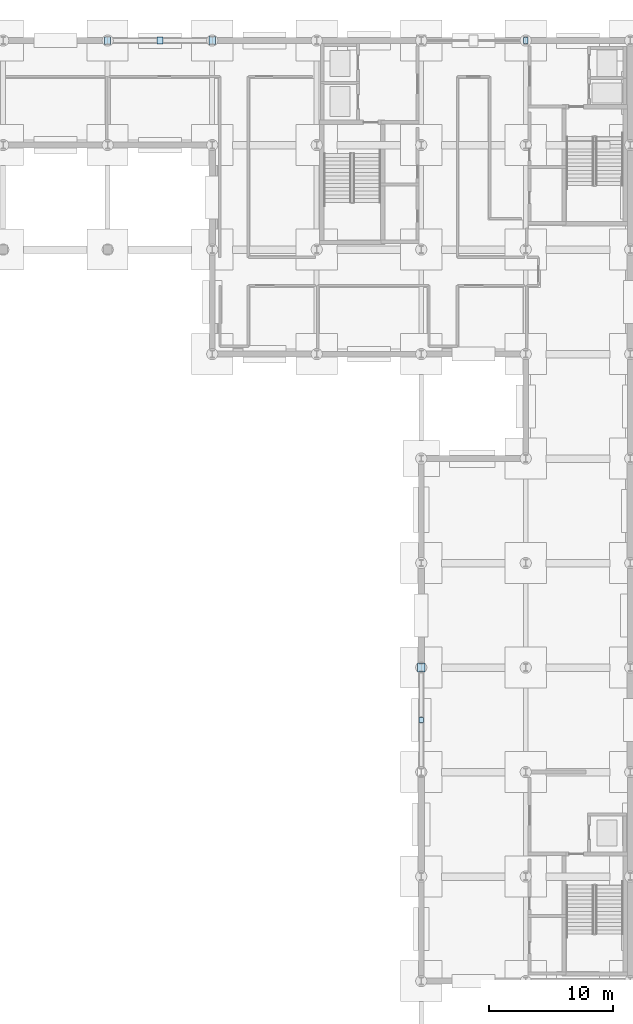
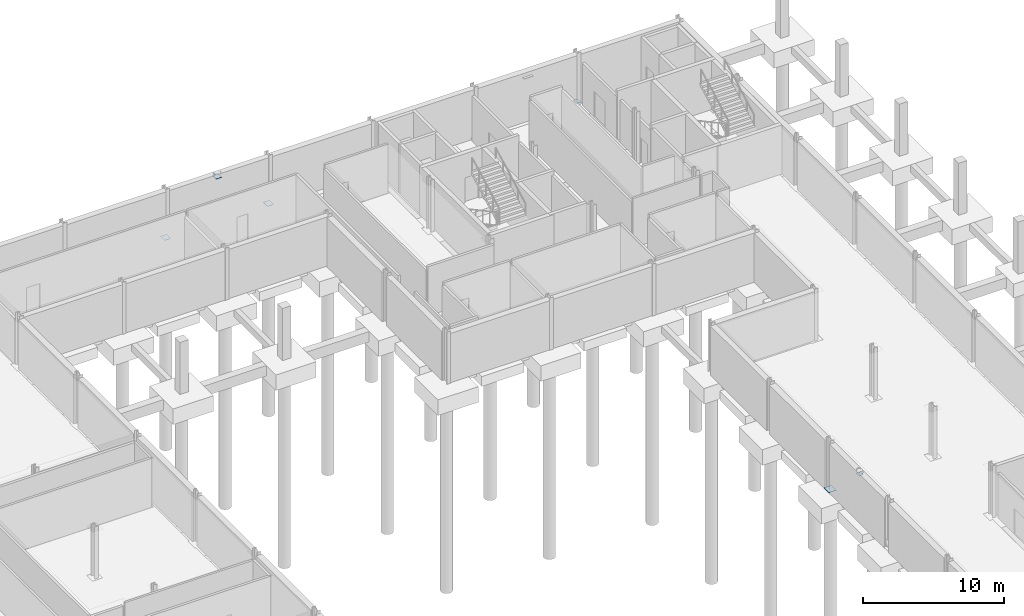
# One storey, part 25 of 43: 6 plates.
"""IFC4 building model written with IfcOpenShell, lengths in metres."""

from ifc_helpers import new_model, si_unit, direction, frame, origin, origin_2d, place, context, subcontext, project, spatial, rectangle, extrude, material, layer, layer_set, type_object, element, save


model = new_model("IFC4")

# Units and contexts
model_context = context("Model", 3, precision=1e-05, world=origin(), true_north=direction((0.0, 1.0)))
body_context = subcontext(model_context, "Body", "Model", "MODEL_VIEW")
ifc_project = project(units=[si_unit("LENGTHUNIT", "METRE"), si_unit("AREAUNIT", "SQUARE_METRE"), si_unit("VOLUMEUNIT", "CUBIC_METRE"), si_unit("PLANEANGLEUNIT", "RADIAN"), si_unit("MASSUNIT", "GRAM", prefix="KILO")], contexts=[model_context])

# Site, building, storey
site_placement = place(None, origin())
site = spatial("IfcSite", under=ifc_project, at=site_placement, CompositionType="ELEMENT")
building_placement = place(site_placement, origin())
building = spatial("IfcBuilding", under=site, at=building_placement, Name="Mersafa Astral City Hall", CompositionType="ELEMENT")
storey_placement = place(building_placement, frame((0.0, 0.0, -4.5)))
storey = spatial("IfcBuildingStorey", under=building, at=storey_placement, Name="B1", CompositionType="ELEMENT", Elevation=-4.5)

# Plates
ifc_material = material(Name="Steel S355", Category="steel")
ifc_layer_1 = layer(ifc_material, 0.013916015625, Name="Steel S355")
ifc_layer_set_1 = layer_set([ifc_layer_1], Name="Steel S355 — STR-PLT-NP-1")
plate_type_1 = type_object("IfcPlateType", Name="STR-PLT-NP-1", PredefinedType="SHEET", material=ifc_layer_set_1)
plate_1_placement = place(storey_placement, frame((159.60009765625, 71.39990234375, 3.98291015625), z_axis=(0.0, 0.0, 1.0), x_axis=(1.0, 0.0, 0.0)))
element("IfcPlate", 1, at=plate_1_placement, inside=storey, type_object=plate_type_1, Name="B1 Structural steel brace gusset plate NP-1", PredefinedType="SHEET", context=body_context, shape_type="SweptSolid", body=[
    extrude(rectangle(XDim=0.360107421875, YDim=0.39990234375, at=origin_2d()), origin(), (0.0, 0.0, 1.0), 0.013916015625),
])
ifc_layer_2 = layer(ifc_material, 0.02392578125, Name="Steel S355")
ifc_layer_set_2 = layer_set([ifc_layer_2], Name="Steel S355 — STR-PLT-NP-11")
plate_type_2 = type_object("IfcPlateType", Name="STR-PLT-NP-11", PredefinedType="SHEET", material=ifc_layer_set_2)
plate_2_placement = place(storey_placement, frame((159.60009765625, 75.60205078125, 0.108154296875), z_axis=(0.0, 0.0, 1.0), x_axis=(1.0, 0.0, 0.0)))
element("IfcPlate", 2, at=plate_2_placement, inside=storey, type_object=plate_type_2, Name="B1 Structural steel brace gusset plate NP-11", PredefinedType="SHEET", context=body_context, shape_type="SweptSolid", body=[
    extrude(rectangle(XDim=0.610107421875, YDim=0.699951171875, at=origin_2d()), origin(), (0.0, 0.0, 1.0), 0.02392578125),
])
ifc_layer_3 = layer(ifc_material, 0.031005859375, Name="Steel S355")
ifc_layer_set_3 = layer_set([ifc_layer_3], Name="Steel S355 — STR-PLT-NP-18")
plate_type_3 = type_object("IfcPlateType", Name="STR-PLT-NP-18", PredefinedType="SHEET", material=ifc_layer_set_3)
plate_3_placement = place(storey_placement, frame((168.001953125, 126.0, 0.1044921875), z_axis=(0.0, 0.0, 1.0), x_axis=(1.0, 0.0, 0.0)))
element("IfcPlate", 3, at=plate_3_placement, inside=storey, type_object=plate_type_3, Name="B1 Structural steel brace gusset plate NP-18", PredefinedType="SHEET", context=body_context, shape_type="SweptSolid", body=[
    extrude(rectangle(XDim=0.360107421875, YDim=0.449951171875, at=origin_2d()), origin(), (0.0, 0.0, 1.0), 0.031005859375),
])
ifc_layer_4 = layer(ifc_material, 0.014892578125, Name="Steel S355")
ifc_layer_set_4 = layer_set([ifc_layer_4], Name="Steel S355 — STR-PLT-NP-22")
plate_type_4 = type_object("IfcPlateType", Name="STR-PLT-NP-22", PredefinedType="SHEET", material=ifc_layer_set_4)
plate_4_placement = place(storey_placement, frame((138.60009765625, 126.0, 3.92236328125), z_axis=(0.0, 0.0, 1.0), x_axis=(1.0, 0.0, 0.0)))
element("IfcPlate", 4, at=plate_4_placement, inside=storey, type_object=plate_type_4, Name="B1 Structural steel brace gusset plate NP-22", PredefinedType="SHEET", context=body_context, shape_type="SweptSolid", body=[
    extrude(rectangle(XDim=0.4599609375, YDim=0.570068359375, at=origin_2d()), origin(), (0.0, 0.0, 1.0), 0.014892578125),
])
ifc_layer_5 = layer(ifc_material, 0.01611328125, Name="Steel S355")
ifc_layer_set_5 = layer_set([ifc_layer_5], Name="Steel S355 — STR-PLT-NP-23")
plate_type_5 = type_object("IfcPlateType", Name="STR-PLT-NP-23", PredefinedType="SHEET", material=ifc_layer_set_5)
plate_5_placement = place(storey_placement, frame((134.39794921875, 126.0, 0.112060546875), z_axis=(0.0, 0.0, 1.0), x_axis=(1.0, 0.0, 0.0)))
element("IfcPlate", 5, at=plate_5_placement, inside=storey, type_object=plate_type_5, Name="B1 Structural steel brace gusset plate NP-23", PredefinedType="SHEET", context=body_context, shape_type="SweptSolid", body=[
    extrude(rectangle(XDim=0.485107421875, YDim=0.60009765625, at=origin_2d()), origin(), (0.0, 0.0, 1.0), 0.01611328125),
])
ifc_layer_6 = layer(ifc_material, 0.01708984375, Name="Steel S355")
ifc_layer_set_6 = layer_set([ifc_layer_6], Name="Steel S355 — STR-PLT-NP-24")
plate_type_6 = type_object("IfcPlateType", Name="STR-PLT-NP-24", PredefinedType="SHEET", material=ifc_layer_set_6)
plate_6_placement = place(storey_placement, frame((142.802001953125, 126.0, 0.111572265625), z_axis=(0.0, 0.0, 1.0), x_axis=(1.0, 0.0, 0.0)))
element("IfcPlate", 6, at=plate_6_placement, inside=storey, type_object=plate_type_6, Name="B1 Structural steel brace gusset plate NP-24", PredefinedType="SHEET", context=body_context, shape_type="SweptSolid", body=[
    extrude(rectangle(XDim=0.510009765625, YDim=0.6298828125, at=origin_2d()), origin(), (0.0, 0.0, 1.0), 0.01708984375),
])

save(model, "model.ifc")
